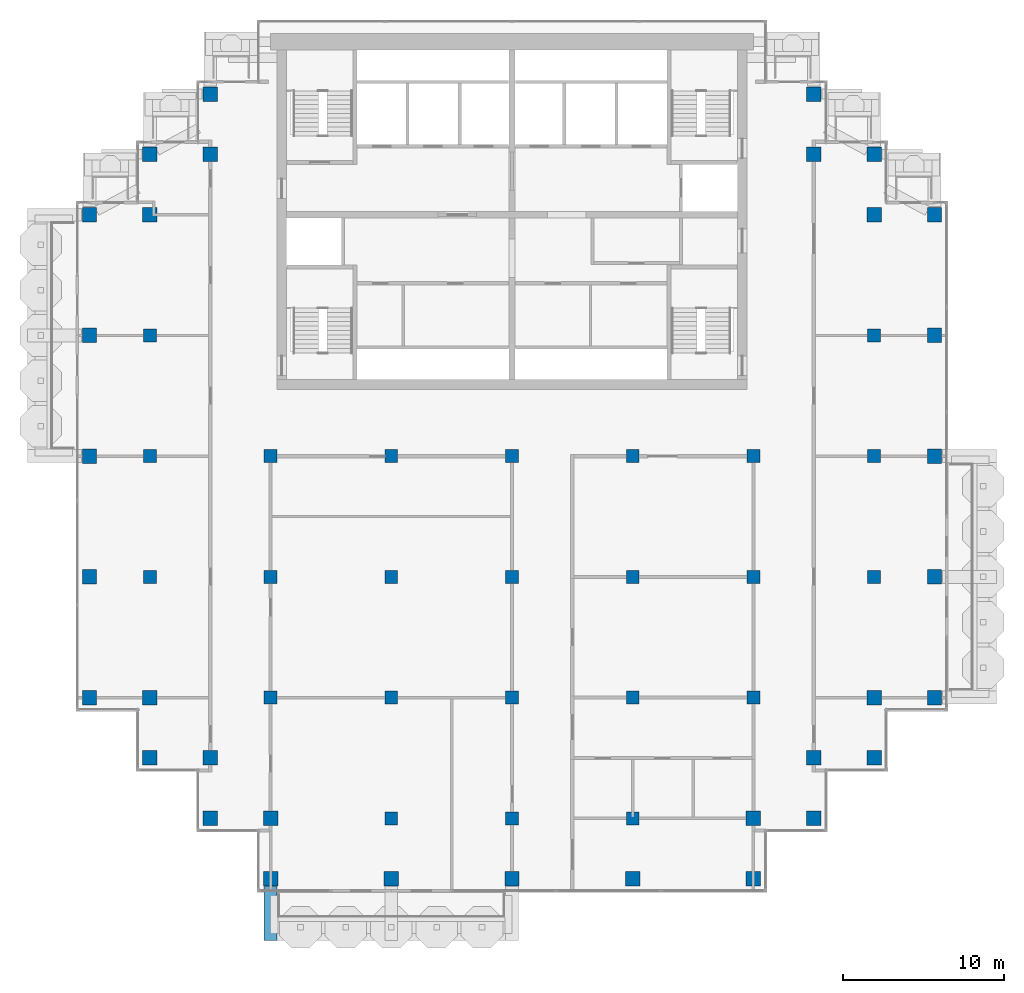
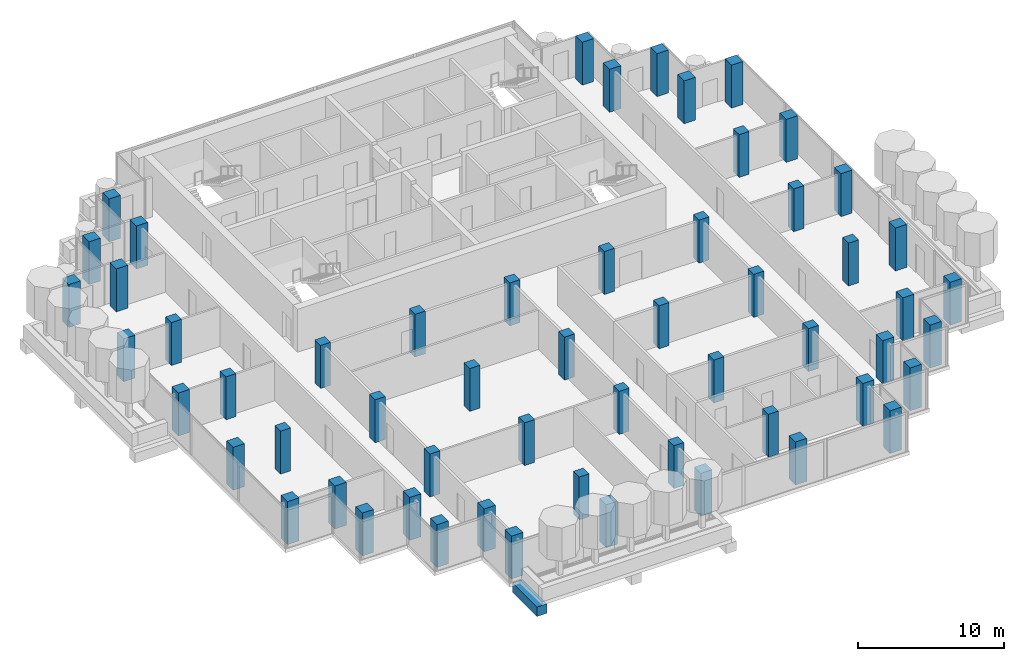
# One storey, part 1 of 18: 57 columns, 1 beam.
"""IFC4 building model written with IfcOpenShell, lengths in metres."""

from ifc_helpers import new_model, si_unit, direction, frame, origin, origin_2d, place, context, subcontext, project, spatial, rectangle, extrude, material, material_profile, profile_set, type_object, element, save


model = new_model("IFC4")

# Units and contexts
model_context = context("Model", 3, precision=1e-05, world=origin(), true_north=direction((0.0, 1.0)))
body_context = subcontext(model_context, "Body", "Model", "MODEL_VIEW")
ifc_project = project(units=[si_unit("LENGTHUNIT", "METRE"), si_unit("AREAUNIT", "SQUARE_METRE"), si_unit("VOLUMEUNIT", "CUBIC_METRE"), si_unit("PLANEANGLEUNIT", "RADIAN"), si_unit("MASSUNIT", "GRAM", prefix="KILO")], contexts=[model_context])

# Site, building, storey
site_placement = place(None, origin())
site = spatial("IfcSite", under=ifc_project, at=site_placement, CompositionType="ELEMENT")
building_placement = place(site_placement, origin())
building = spatial("IfcBuilding", under=site, at=building_placement, Name="Pilkhan Gate Tower", CompositionType="ELEMENT")
storey_placement = place(building_placement, frame((0.0, 0.0, 228.300048828125)))
storey = spatial("IfcBuildingStorey", under=building, at=storey_placement, Name="L59", CompositionType="ELEMENT", Elevation=228.300048828125)

# Columns
ifc_material = material(Name="Concrete C50/60", Category="concrete")
ifc_material_profile_1 = material_profile(ifc_material, rectangle(XDim=0.800048828125, YDim=0.800048828125, at=origin_2d()), Name="RC 800x800")
ifc_profile_set_1 = profile_set([ifc_material_profile_1], Name="Concrete C50/60")
column_type_1 = type_object("IfcColumnType", Name="Column C80 RC 800x800 C50/60", PredefinedType="COLUMN", material=ifc_profile_set_1)
for number, where, z_axis, x_axis, name in (
    (1, (52.5, 60.0, 0.0), (0.0, 0.0, 1.0), (1.0, 0.0, 0.0), "Column 5/F L59"),
    (2, (52.5, 67.5, 0.0), (0.0, 0.0, 1.0), (1.0, 0.0, 0.0), "Column 5/H L59"),
    (3, (52.5, 75.0, 0.0), (0.0, 0.0, 1.0), (1.0, 0.0, 0.0), "Column 5/K L59"),
    (4, (60.0, 52.5, 0.0), (0.0, 0.0, 1.0), (1.0, 0.0, 0.0), "Column 7/D L59"),
    (5, (60.0, 60.0, 0.0), (0.0, 0.0, 1.0), (1.0, 0.0, 0.0), "Column 7/F L59"),
    (6, (60.0, 67.5, 0.0), (0.0, 0.0, 1.0), (1.0, 0.0, 0.0), "Column 7/H L59"),
    (7, (67.5, 45.0, 0.0), (0.0, 0.0, 1.0), (1.0, 0.0, 0.0), "Column 9/B L59"),
    (8, (67.5, 52.5, 0.0), (0.0, 0.0, 1.0), (1.0, 0.0, 0.0), "Column 9/D L59"),
    (9, (67.5, 60.0, 0.0), (0.0, 0.0, 1.0), (1.0, 0.0, 0.0), "Column 9/F L59"),
    (10, (67.5, 67.5, 0.0), (0.0, 0.0, 1.0), (1.0, 0.0, 0.0), "Column 9/H L59"),
    (11, (75.0, 45.0, 0.0), (0.0, 0.0, 1.0), (1.0, 0.0, 0.0), "Column 11/B L59"),
    (12, (75.0, 52.5, 0.0), (0.0, 0.0, 1.0), (1.0, 0.0, 0.0), "Column 11/D L59"),
    (13, (75.0, 60.0, 0.0), (0.0, 0.0, 1.0), (1.0, 0.0, 0.0), "Column 11/F L59"),
    (14, (75.0, 67.5, 0.0), (0.0, 0.0, 1.0), (1.0, 0.0, 0.0), "Column 11/H L59"),
    (15, (82.5, 45.0, 0.0), (0.0, 0.0, 1.0), (1.0, 0.0, 0.0), "Column 13/B L59"),
    (16, (82.5, 52.5, 0.0), (0.0, 0.0, 1.0), (1.0, 0.0, 0.0), "Column 13/D L59"),
    (17, (82.5, 60.0, 0.0), (0.0, 0.0, 1.0), (1.0, 0.0, 0.0), "Column 13/F L59"),
    (18, (82.5, 67.5, 0.0), (0.0, 0.0, 1.0), (1.0, 0.0, 0.0), "Column 13/H L59"),
    (19, (90.0, 52.5, 0.0), (0.0, 0.0, 1.0), (1.0, 0.0, 0.0), "Column 15/D L59"),
    (20, (90.0, 60.0, 0.0), (0.0, 0.0, 1.0), (1.0, 0.0, 0.0), "Column 15/F L59"),
    (21, (90.0, 67.5, 0.0), (0.0, 0.0, 1.0), (1.0, 0.0, 0.0), "Column 15/H L59"),
    (22, (97.5, 60.0, 0.0), (0.0, 0.0, 1.0), (1.0, 0.0, 0.0), "Column 17/F L59"),
    (23, (97.5, 67.5, 0.0), (0.0, 0.0, 1.0), (1.0, 0.0, 0.0), "Column 17/H L59"),
    (24, (97.5, 75.0, 0.0), (0.0, 0.0, 1.0), (1.0, 0.0, 0.0), "Column 17/K L59"),
):
    element("IfcColumn", number, at=place(storey_placement, frame(where, z_axis=z_axis, x_axis=x_axis)), inside=storey, type_object=column_type_1, Name=name, PredefinedType="COLUMN", context=body_context, shape_type="SweptSolid", body=[
        extrude(rectangle(XDim=0.800048828125, YDim=0.800048828125, at=origin_2d()), origin(), (0.0, 0.0, 1.0), 3.599853515625),
    ])
ifc_material_profile_2 = material_profile(ifc_material, rectangle(XDim=0.89990234375, YDim=0.89990234375, at=origin_2d()), Name="RC 900x900")
ifc_profile_set_2 = profile_set([ifc_material_profile_2], Name="Concrete C50/60")
column_type_2 = type_object("IfcColumnType", Name="Column C90 RC 900x900 C50/60", PredefinedType="COLUMN", material=ifc_profile_set_2)
for number, where, z_axis, x_axis, name in (
    (25, (48.75, 52.5, 0.0), (0.0, 0.0, 1.0), (1.0, 0.0, 0.0), "Column 4/D L59"),
    (26, (48.75, 60.0, 0.0), (0.0, 0.0, 1.0), (1.0, 0.0, 0.0), "Column 4/F L59"),
    (27, (48.75, 67.5, 0.0), (0.0, 0.0, 1.0), (1.0, 0.0, 0.0), "Column 4/H L59"),
    (28, (48.75, 75.0, 0.0), (0.0, 0.0, 1.0), (1.0, 0.0, 0.0), "Column 4/K L59"),
    (29, (48.75, 82.5, 0.0), (0.0, 0.0, 1.0), (1.0, 0.0, 0.0), "Column 4/M L59"),
    (30, (52.5, 48.75, 0.0), (0.0, 0.0, 1.0), (1.0, 0.0, 0.0), "Column 5/C L59"),
    (31, (52.5, 52.5, 0.0), (0.0, 0.0, 1.0), (1.0, 0.0, 0.0), "Column 5/D L59"),
    (32, (52.5, 82.5, 0.0), (0.0, 0.0, 1.0), (1.0, 0.0, 0.0), "Column 5/M L59"),
    (33, (52.5, 86.25, 0.0), (0.0, 0.0, 1.0), (1.0, 0.0, 0.0), "Column 5/N L59"),
    (34, (56.25, 45.0, 0.0), (0.0, 0.0, 1.0), (1.0, 0.0, 0.0), "Column 6/B L59"),
    (35, (56.25, 48.75, 0.0), (0.0, 0.0, 1.0), (1.0, 0.0, 0.0), "Column 6/C L59"),
    (36, (56.25, 86.25, 0.0), (0.0, 0.0, 1.0), (1.0, 0.0, 0.0), "Column 6/N L59"),
    (37, (56.25, 90.0, 0.0), (0.0, 0.0, 1.0), (1.0, 0.0, 0.0), "Column 6/P L59"),
    (38, (60.0, 41.25, 0.0), (0.0, 0.0, 1.0), (1.0, 0.0, 0.0), "Column 7/A L59"),
    (39, (60.0, 45.0, 0.0), (0.0, 0.0, 1.0), (1.0, 0.0, 0.0), "Column 7/B L59"),
    (40, (67.5, 41.25, 0.0), (0.0, 0.0, 1.0), (1.0, 0.0, 0.0), "Column 9/A L59"),
    (41, (75.0, 41.25, 0.0), (0.0, 0.0, 1.0), (1.0, 0.0, 0.0), "Column 11/A L59"),
    (42, (82.5, 41.25, 0.0), (0.0, 0.0, 1.0), (1.0, 0.0, 0.0), "Column 13/A L59"),
    (43, (90.0, 41.25, 0.0), (0.0, 0.0, 1.0), (1.0, 0.0, 0.0), "Column 15/A L59"),
    (44, (90.0, 45.0, 0.0), (0.0, 0.0, 1.0), (1.0, 0.0, 0.0), "Column 15/B L59"),
    (45, (93.75, 45.0, 0.0), (0.0, 0.0, 1.0), (1.0, 0.0, 0.0), "Column 16/B L59"),
    (46, (93.75, 48.75, 0.0), (0.0, 0.0, 1.0), (1.0, 0.0, 0.0), "Column 16/C L59"),
    (47, (93.75, 86.25, 0.0), (0.0, 0.0, 1.0), (1.0, 0.0, 0.0), "Column 16/N L59"),
    (48, (93.75, 90.0, 0.0), (0.0, 0.0, 1.0), (1.0, 0.0, 0.0), "Column 16/P L59"),
    (49, (97.5, 48.75, 0.0), (0.0, 0.0, 1.0), (1.0, 0.0, 0.0), "Column 17/C L59"),
    (50, (97.5, 52.5, 0.0), (0.0, 0.0, 1.0), (1.0, 0.0, 0.0), "Column 17/D L59"),
    (51, (97.5, 82.5, 0.0), (0.0, 0.0, 1.0), (1.0, 0.0, 0.0), "Column 17/M L59"),
    (52, (97.5, 86.25, 0.0), (0.0, 0.0, 1.0), (1.0, 0.0, 0.0), "Column 17/N L59"),
    (53, (101.25, 52.5, 0.0), (0.0, 0.0, 1.0), (1.0, 0.0, 0.0), "Column 18/D L59"),
    (54, (101.25, 60.0, 0.0), (0.0, 0.0, 1.0), (1.0, 0.0, 0.0), "Column 18/F L59"),
    (55, (101.25, 67.5, 0.0), (0.0, 0.0, 1.0), (1.0, 0.0, 0.0), "Column 18/H L59"),
    (56, (101.25, 75.0, 0.0), (0.0, 0.0, 1.0), (1.0, 0.0, 0.0), "Column 18/K L59"),
    (57, (101.25, 82.5, 0.0), (0.0, 0.0, 1.0), (1.0, 0.0, 0.0), "Column 18/M L59"),
):
    element("IfcColumn", number, at=place(storey_placement, frame(where, z_axis=z_axis, x_axis=x_axis)), inside=storey, type_object=column_type_2, Name=name, PredefinedType="COLUMN", context=body_context, shape_type="SweptSolid", body=[
        extrude(rectangle(XDim=0.89990234375, YDim=0.89990234375, at=origin_2d()), origin(), (0.0, 0.0, 1.0), 3.599853515625),
    ])

# Beam
ifc_material_profile_3 = material_profile(ifc_material, rectangle(XDim=0.800048828125, YDim=0.800048828125, at=origin_2d()), Name="RC 800x800")
ifc_profile_set_3 = profile_set([ifc_material_profile_3], Name="Concrete C50/60")
beam_type = type_object("IfcBeamType", Name="Cantilever beam CB2 RC 800x800 C50/60", PredefinedType="BEAM", material=ifc_profile_set_3)
beam_placement = place(storey_placement, frame((60.0, 40.75, -0.699951171875), z_axis=(0.0, -1.0, 0.0), x_axis=(1.0, 0.0, 0.0)))
element("IfcBeam", 58, at=beam_placement, inside=storey, type_object=beam_type, Name="Balcony beam S.1 L59", PredefinedType="BEAM", context=body_context, shape_type="SweptSolid", body=[
    extrude(rectangle(XDim=0.800048828125, YDim=0.800048828125, at=origin_2d()), origin(), (0.0, 0.0, 1.0), 3.35009765625),
])

save(model, "model.ifc")
